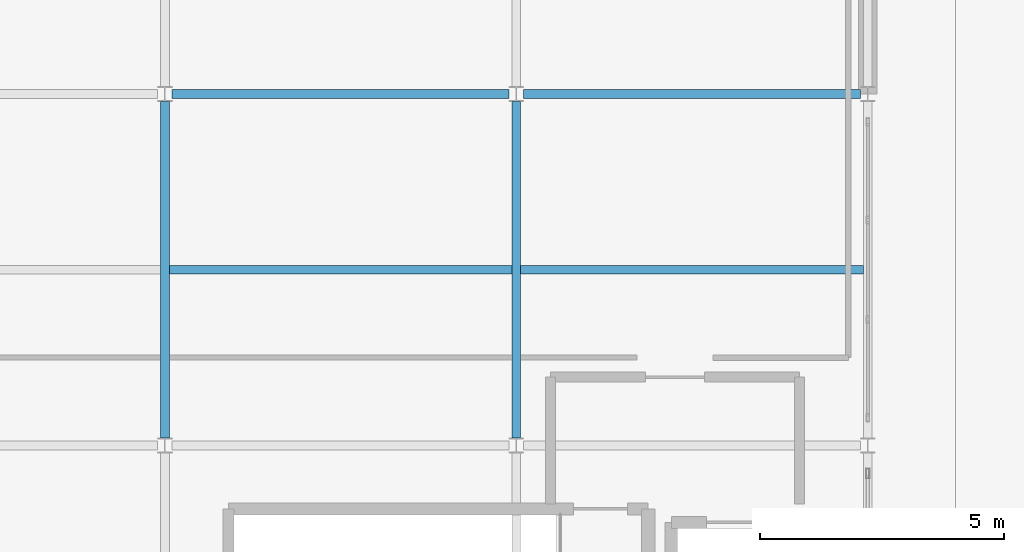
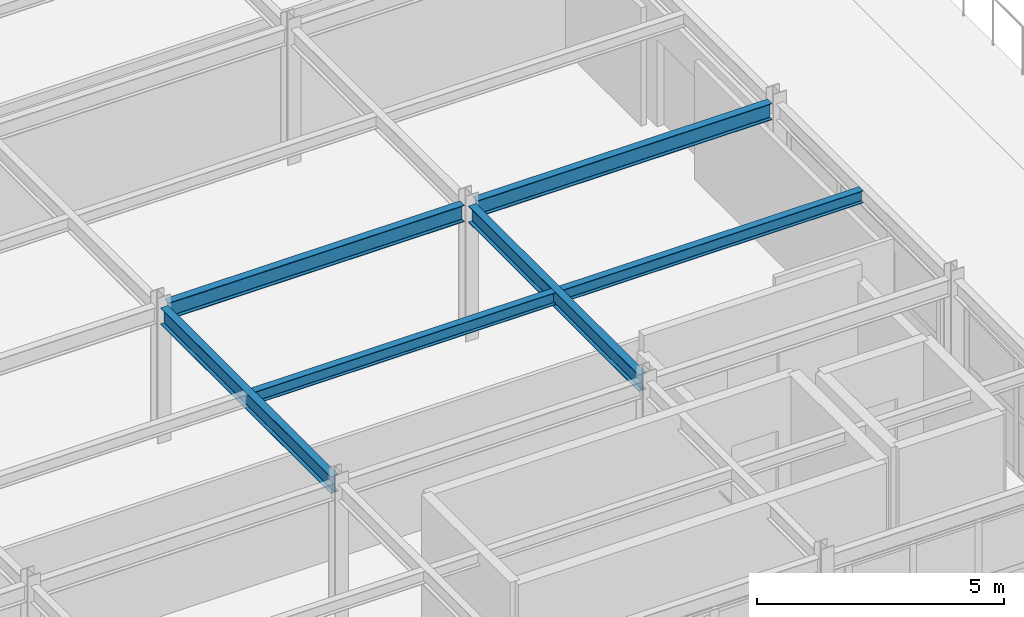
# One storey, part 43 of 73: 6 beams.
"""IFC4 building model written with IfcOpenShell, lengths in metres."""

from ifc_helpers import new_model, si_unit, direction, frame, origin, origin_2d, place, context, subcontext, project, spatial, i_section, extrude, material, material_profile, profile_set, type_object, element, save


model = new_model("IFC4")

# Units and contexts
model_context = context("Model", 3, precision=1e-05, world=origin(), true_north=direction((0.0, 1.0)))
body_context = subcontext(model_context, "Body", "Model", "MODEL_VIEW")
ifc_project = project(units=[si_unit("LENGTHUNIT", "METRE"), si_unit("AREAUNIT", "SQUARE_METRE"), si_unit("VOLUMEUNIT", "CUBIC_METRE"), si_unit("PLANEANGLEUNIT", "RADIAN"), si_unit("MASSUNIT", "GRAM", prefix="KILO")], contexts=[model_context])

# Site, building, storey
site_placement = place(None, origin())
site = spatial("IfcSite", under=ifc_project, at=site_placement, CompositionType="ELEMENT")
building_placement = place(site_placement, origin())
building = spatial("IfcBuilding", under=site, at=building_placement, Name="Carrowvane Square Congress Hotel", CompositionType="ELEMENT")
storey_placement = place(building_placement, frame((0.0, 0.0, 19.199951171875)))
storey = spatial("IfcBuildingStorey", under=building, at=storey_placement, Name="L04", CompositionType="ELEMENT", Elevation=19.199951171875)

# Beams
ifc_material_1 = material(Name="Steel S355", Category="steel")
ifc_material_profile_1 = material_profile(ifc_material_1, i_section(OverallWidth=0.165771484375, OverallDepth=0.306640625, WebThickness=0.006591796875, FlangeThickness=0.01171875, FilletRadius=0.0087890625, at=origin_2d()), Name="UKB 305x165x46")
ifc_profile_set_1 = profile_set([ifc_material_profile_1], Name="Steel S355")
beam_type_1 = type_object("IfcBeamType", Name="BM-ST-UKB305", PredefinedType="JOIST", material=ifc_profile_set_1)
for number, where, z_axis, x_axis, name in (
    (1, (162.889404296875, 66.60009765625, 3.19677734375), (1.0, 0.0, 0.0), (0.0, 1.0, 0.0), "L05 secondary joist 22-23"),
    (2, (170.08935546875, 66.60009765625, 3.19677734375), (1.0, 0.0, 0.0), (0.0, 1.0, 0.0), "L05 secondary joist 23-24"),
):
    element("IfcBeam", number, at=place(storey_placement, frame(where, z_axis=z_axis, x_axis=x_axis)), inside=storey, type_object=beam_type_1, Name=name, PredefinedType="JOIST", context=body_context, shape_type="SweptSolid", body=[
        extrude(i_section(OverallWidth=0.165771484375, OverallDepth=0.306640625, WebThickness=0.006591796875, FlangeThickness=0.01171875, FilletRadius=0.0087890625, at=origin_2d()), origin(), (0.0, 0.0, 1.0), 7.021240234375),
    ])
ifc_material_2 = material(Name="Steel S355", Category="steel")
ifc_material_profile_2 = material_profile(ifc_material_2, i_section(OverallWidth=0.1787109375, OverallDepth=0.409423828125, WebThickness=0.0087890625, FlangeThickness=0.014404296875, FilletRadius=0.01025390625, at=origin_2d()), Name="UKB 406x178x67")
ifc_profile_set_2 = profile_set([ifc_material_profile_2], Name="Steel S355")
beam_type_2 = type_object("IfcBeamType", Name="BM-ST-UKB406", PredefinedType="BEAM", material=ifc_profile_set_2)
for number, where, z_axis, x_axis, name in (
    (3, (162.949951171875, 70.199951171875, 3.145263671875), (1.0, 0.0, 0.0), (0.0, 1.0, 0.0), "L05 girder K/22-23"),
    (4, (170.14990234375, 70.199951171875, 3.145263671875), (1.0, 0.0, 0.0), (0.0, 1.0, 0.0), "L05 girder K/23-24"),
    (5, (162.800048828125, 63.14990234375, 3.145263671875), (0.0, 1.0, 0.0), (-1.0, 0.0, 0.0), "L05 girder 22/J-K"),
    (6, (170.0, 63.14990234375, 3.145263671875), (0.0, 1.0, 0.0), (-1.0, 0.0, 0.0), "L05 girder 23/J-K"),
):
    element("IfcBeam", number, at=place(storey_placement, frame(where, z_axis=z_axis, x_axis=x_axis)), inside=storey, type_object=beam_type_2, Name=name, PredefinedType="BEAM", context=body_context, shape_type="SweptSolid", body=[
        extrude(i_section(OverallWidth=0.1787109375, OverallDepth=0.409423828125, WebThickness=0.0087890625, FlangeThickness=0.014404296875, FilletRadius=0.01025390625, at=origin_2d()), origin(), (0.0, 0.0, 1.0), 6.900146484375),
    ])

save(model, "model.ifc")
